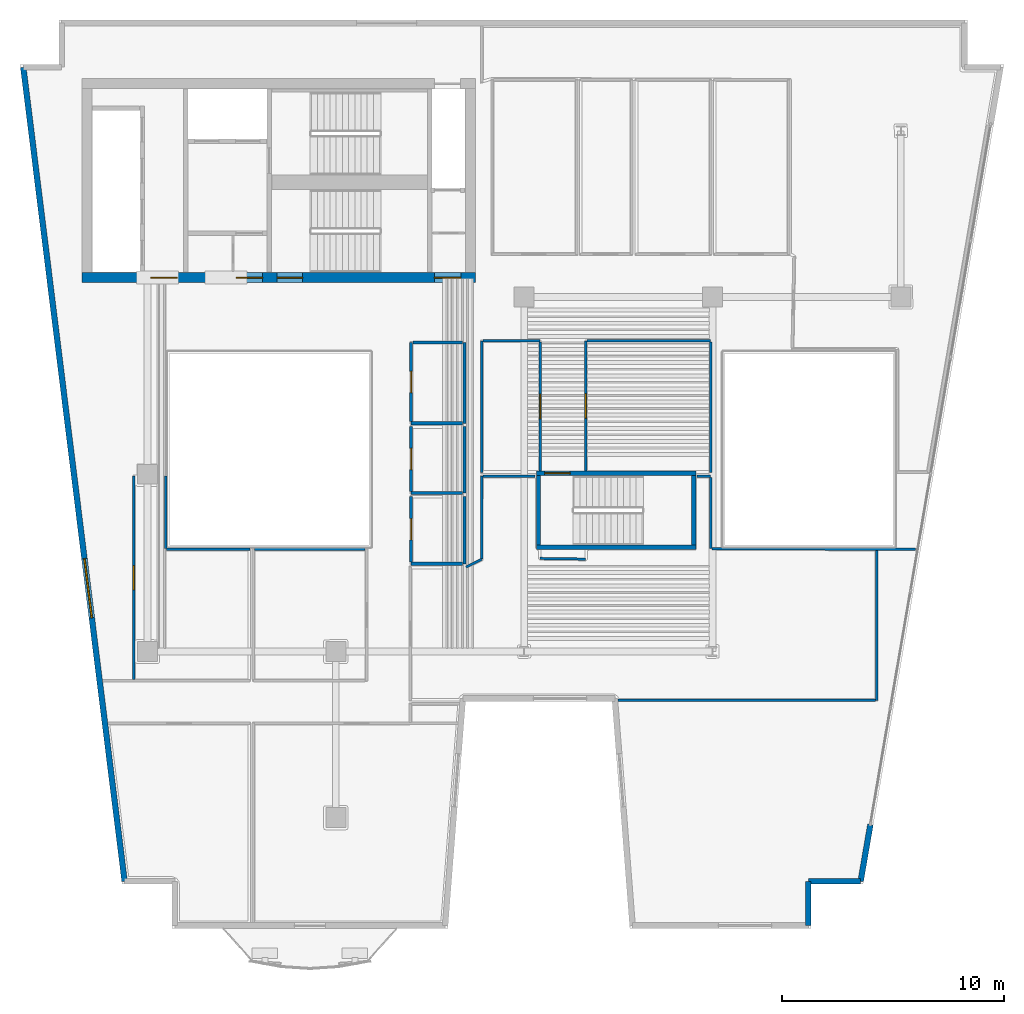
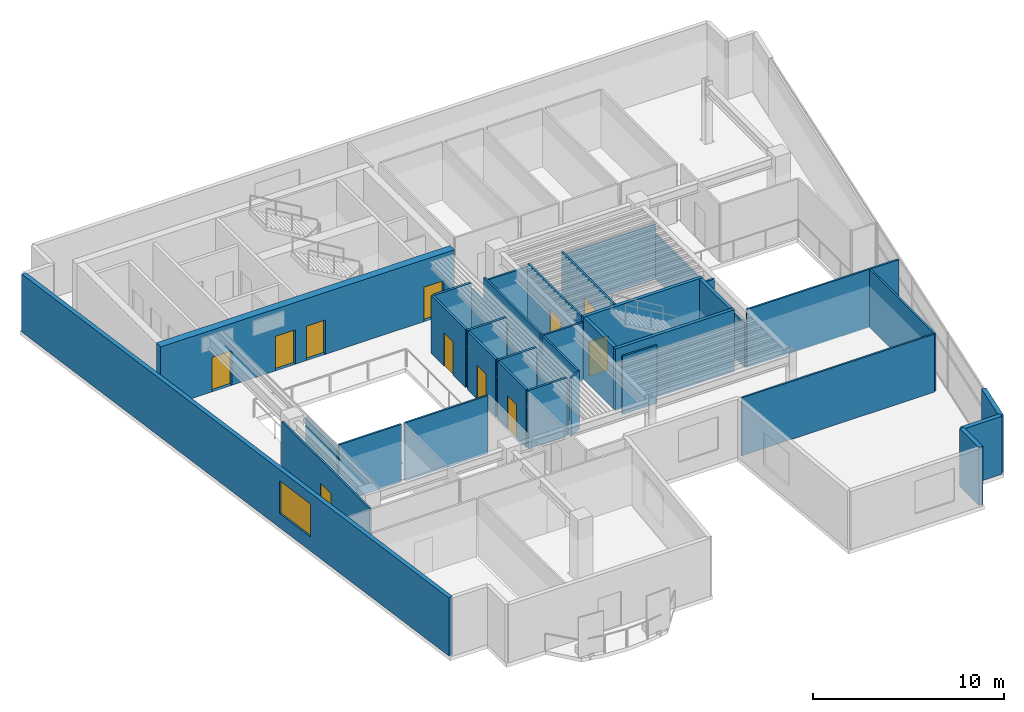
# One storey, part 4 of 9: 38 walls, 11 doors, 1 window, 12 openings.
"""IFC4 building model written with IfcOpenShell, lengths in metres."""

import ifcopenshell
import ifcopenshell.guid

model = None  # the IFC model being written
_history = None  # IfcOwnerHistory: only IFC2X3 demands one
_inside = {}  # id of a spatial element -> (the spatial element, [elements in it])
_under = {}  # id of a project, library or spatial element -> (it, [spatial elements below it])
_declared = {}  # id of a project -> (the project, [libraries it declares])
_typed = {}  # id of a type object -> (the type object, [elements of that type])
_made_of = {}  # id of a material, layer set ... -> (it, [elements and type objects made of it])


def new_model(schema):
    """Start an empty IFC model of exactly this schema.

    Asked for "IFC4X3", IfcOpenShell would pick the latest addendum, in which some entities
    have other attributes; the version numbers below select the first issue.
    IFC2X3 requires an IfcOwnerHistory on every rooted entity: one is made here for all.
    """
    global model, _history
    if schema == "IFC4X3":
        model = ifcopenshell.file(schema_version=(4, 3, 0, 0))
    else:
        model = ifcopenshell.file(schema=schema)
    _inside.clear()
    _under.clear()
    _declared.clear()
    _typed.clear()
    _made_of.clear()
    _history = None
    if model.schema == "IFC2X3":
        org = make("IfcOrganization", Name="unknown")
        user = make(
            "IfcPersonAndOrganization",
            ThePerson=make("IfcPerson", FamilyName="unknown"),
            TheOrganization=org,
        )
        app = make(
            "IfcApplication",
            ApplicationDeveloper=org,
            Version="unknown",
            ApplicationFullName="unknown",
            ApplicationIdentifier="unknown",
        )
        _history = make(
            "IfcOwnerHistory",
            OwningUser=user,
            OwningApplication=app,
            ChangeAction="ADDED",
            CreationDate=0,
        )
    return model


def make(cls, **values):
    """One entity of the class cls with the attributes given. An attribute that is None is left unset."""
    return model.create_entity(
        cls, **{name: value for name, value in values.items() if value is not None}
    )


def rooted(cls, **values):
    """An entity with a GlobalId (a new one), such as an element, a storey or a relation."""
    return make(cls, GlobalId=ifcopenshell.guid.new(), OwnerHistory=_history, **values)


def si_unit(unit_type, name, prefix=None):
    """IfcSIUnit, for example si_unit("LENGTHUNIT", "METRE", prefix="MILLI")."""
    return make("IfcSIUnit", UnitType=unit_type, Prefix=prefix, Name=name)


def assignment(units):
    """IfcUnitAssignment: the units of a project."""
    return None if units is None else make("IfcUnitAssignment", Units=units)


def point(xyz):
    """IfcCartesianPoint."""
    return None if xyz is None else make("IfcCartesianPoint", Coordinates=xyz)


def direction(xyz):
    """IfcDirection."""
    return None if xyz is None else make("IfcDirection", DirectionRatios=xyz)


def frame(location, z_axis=None, x_axis=None):
    """IfcAxis2Placement3D, a coordinate frame: its origin and axes. An axis left out is left unset."""
    return make(
        "IfcAxis2Placement3D",
        Location=point(location),
        Axis=direction(z_axis),
        RefDirection=direction(x_axis),
    )


def frame_2d(location, x_axis=None):
    """IfcAxis2Placement2D, a coordinate frame in the plane: its origin and x axis."""
    return make(
        "IfcAxis2Placement2D", Location=point(location), RefDirection=direction(x_axis)
    )


def origin():
    """The frame at (0, 0, 0) with its axes left unset."""
    return frame((0.0, 0.0, 0.0))


def place(relative_to, where):
    """IfcLocalPlacement: puts the frame where relative to a parent placement (None: the world)."""
    return make(
        "IfcLocalPlacement", PlacementRelTo=relative_to, RelativePlacement=where
    )


def context(
    kind, dimensions, precision=None, world=None, true_north=None, identifier=None
):
    """IfcGeometricRepresentationContext, for example the 3D "Model" context."""
    return make(
        "IfcGeometricRepresentationContext",
        ContextIdentifier=identifier,
        ContextType=kind,
        CoordinateSpaceDimension=dimensions,
        Precision=precision,
        WorldCoordinateSystem=world,
        TrueNorth=true_north,
    )


def subcontext(parent, identifier, kind, view, scale=None):
    """IfcGeometricRepresentationSubContext, for example "Body" below "Model"."""
    return make(
        "IfcGeometricRepresentationSubContext",
        ContextIdentifier=identifier,
        ContextType=kind,
        ParentContext=parent,
        TargetScale=scale,
        TargetView=view,
    )


def project(units=None, contexts=None):
    """IfcProject with its units and contexts."""
    return rooted(
        "IfcProject",
        Name="project",
        RepresentationContexts=contexts,
        UnitsInContext=assignment(units),
    )


def spatial(cls, under=None, at=None, **own):
    """A site, building, storey or space (cls), placed at a placement, below another one or the project."""
    s = rooted(cls, ObjectPlacement=at, **own)
    if under is not None:
        _under.setdefault(under.id(), (under, []))[1].append(s)
    return s


def profile(cls, at=None, kind="AREA", **sizes):
    """A parametric profile (cls). Its sizes go by their IFC names, for example OverallWidth=200.0."""
    return make(cls, ProfileType=kind, Position=at, **sizes)


def rectangle(**sizes):
    """IfcRectangleProfileDef."""
    return profile("IfcRectangleProfileDef", **sizes)


def extrude(swept, where, along, depth):
    """IfcExtrudedAreaSolid: the profile swept, set in the frame where, extruded along a direction by depth."""
    return make(
        "IfcExtrudedAreaSolid",
        SweptArea=swept,
        Position=where,
        ExtrudedDirection=direction(along),
        Depth=depth,
    )


def shape(context_of_items, identifier, shape_type, items):
    """IfcShapeRepresentation: the items that make up one representation, for example the "Body"."""
    return make(
        "IfcShapeRepresentation",
        ContextOfItems=context_of_items,
        RepresentationIdentifier=identifier,
        RepresentationType=shape_type,
        Items=items,
    )


def material(Name=None, Category=None):
    """IfcMaterial."""
    return make("IfcMaterial", Name=Name, Category=Category)


def layer(
    of_material, thickness, ventilated=None, Name=None, Category=None, Priority=None
):
    """IfcMaterialLayer: one layer of a wall or slab, of a material (None: an air gap)."""
    return make(
        "IfcMaterialLayer",
        Material=of_material,
        LayerThickness=thickness,
        IsVentilated=ventilated,
        Name=Name,
        Category=Category,
        Priority=Priority,
    )


def layer_set(layers, Name=None):
    """IfcMaterialLayerSet."""
    return make("IfcMaterialLayerSet", MaterialLayers=layers, LayerSetName=Name)


def made_of(thing, what):
    """Note that an element or type object is made of a material, layer set ...; save() writes the relation."""
    if what is not None:
        _made_of.setdefault(what.id(), (what, []))[1].append(thing)
    return thing


def type_object(cls, material=None, **own):
    """A type object (cls), such as IfcWallType, which elements share."""
    return made_of(rooted(cls, **own), material)


def element(
    cls,
    number,
    at=None,
    inside=None,
    cuts=None,
    type_object=None,
    material=None,
    context=None,
    identifier="Body",
    shape_type=None,
    held_by="IfcProductDefinitionShape",
    body=None,
    shapes=None,
    **own,
):
    """One element of the class cls, such as IfcWall. Its Tag is "e" and its number.

    at: its placement. inside: the storey or other place that contains it. cuts: it is an
    opening in that element (IfcRelVoidsElement). A single representation is given by context,
    identifier, shape_type and body (its items); several are given by shapes. held_by: the class
    of the entity that holds the representations. save() writes the other relations.
    """
    e = rooted(cls, Tag="e%d" % number, ObjectPlacement=at, **own)
    if body is not None:
        shapes = [shape(context, identifier, shape_type, body)]
    if shapes is not None:
        e.Representation = make(held_by, Representations=shapes)
    if inside is not None:
        _inside.setdefault(inside.id(), (inside, []))[1].append(e)
    if cuts is not None:
        rooted(
            "IfcRelVoidsElement", RelatingBuildingElement=cuts, RelatedOpeningElement=e
        )
    if type_object is not None:
        _typed.setdefault(type_object.id(), (type_object, []))[1].append(e)
    return made_of(e, material)


def fill(opening, filler):
    """IfcRelFillsElement: the door or window that sits in an opening."""
    return rooted(
        "IfcRelFillsElement",
        RelatingOpeningElement=opening,
        RelatedBuildingElement=filler,
    )


def aggregate(whole, parts):
    """IfcRelAggregates: a whole, such as a stair, and the parts it consists of."""
    return rooted("IfcRelAggregates", RelatingObject=whole, RelatedObjects=parts)


def save(model, path):
    """Write the relations noted so far, then the file.

    IfcRelAggregates (storeys below a building ...), IfcRelContainedInSpatialStructure (elements
    in a storey), IfcRelDefinesByType, IfcRelAssociatesMaterial and IfcRelDeclares: one each for
    every whole, place, type object, material and project.
    """
    for whole, parts in _under.values():
        aggregate(whole, parts)
    for where, things in _inside.values():
        rooted(
            "IfcRelContainedInSpatialStructure",
            RelatedElements=things,
            RelatingStructure=where,
        )
    for kind, things in _typed.values():
        rooted("IfcRelDefinesByType", RelatedObjects=things, RelatingType=kind)
    for what, things in _made_of.values():
        rooted("IfcRelAssociatesMaterial", RelatedObjects=things, RelatingMaterial=what)
    for by, libraries in _declared.values():
        rooted("IfcRelDeclares", RelatingContext=by, RelatedDefinitions=libraries)
    model.write(path)


model = new_model("IFC4")

# Units and contexts
model_context = context("Model", 3, precision=1e-05, world=origin(), true_north=direction((0.0, 1.0)))
body_context = subcontext(model_context, "Body", "Model", "MODEL_VIEW")
ifc_project = project(units=[si_unit("LENGTHUNIT", "METRE"), si_unit("AREAUNIT", "SQUARE_METRE"), si_unit("VOLUMEUNIT", "CUBIC_METRE"), si_unit("PLANEANGLEUNIT", "RADIAN"), si_unit("MASSUNIT", "GRAM", prefix="KILO")], contexts=[model_context])

# Site, building, storey
site_placement = place(None, origin())
site = spatial("IfcSite", under=ifc_project, at=site_placement, CompositionType="ELEMENT")
building_placement = place(site_placement, origin())
building = spatial("IfcBuilding", under=site, at=building_placement, Name="Caeloran Harvest Quay", CompositionType="ELEMENT")
storey_placement = place(building_placement, frame((0.0, 0.0, 195.60009765625)))
storey = spatial("IfcBuildingStorey", under=building, at=storey_placement, Name="L46", CompositionType="ELEMENT", Elevation=195.60009765625)

# Wall, opening, window
ifc_material_1 = material(Name="Precast concrete C50/60", Category="concrete")
ifc_layer_1 = layer(ifc_material_1, 0.260009765625, Name="Precast concrete C50/60")
ifc_layer_set_1 = layer_set([ifc_layer_1], Name="Precast concrete C50/60")
wall_type_1 = type_object("IfcWallType", Name="ENV-WALL-EW-260", PredefinedType="STANDARD", material=ifc_layer_set_1)
wall_1_placement = place(storey_placement, frame((7.468994140625, 4.6298828125, 0.0), z_axis=(0.0, 0.0, 1.0), x_axis=(-0.123515300309, 0.992342667928, 0.0)))
wall_1 = element("IfcWall", 1, at=wall_1_placement, inside=storey, type_object=wall_type_1, Name="L46 Exterior Precast Concrete Facade Wall 3", PredefinedType="STANDARD", context=body_context, shape_type="SweptSolid", body=[
    extrude(rectangle(XDim=37.023681640625, YDim=0.260009765625, at=frame_2d((18.51171875, 0.0))), origin(), (0.0, 0.0, 1.0), 3.699951171875),
])
opening_1_placement = place(wall_1_placement, frame((11.97802734375, 0.0, 0.89990234375)))
opening_1 = element("IfcOpeningElement", 2, at=opening_1_placement, cuts=wall_1, Name="Opening W-07", PredefinedType="OPENING", context=body_context, shape_type="SweptSolid", body=[
    extrude(rectangle(XDim=2.699951171875, YDim=2.10009765625, at=frame_2d((1.35009765625, 1.050048828125))), frame((0.0, 0.14013671875, 0.0), z_axis=(0.0, -1.0, 0.0), x_axis=(1.0, 0.0, 0.0)), (0.0, 0.0, 1.0), 0.280029296875),
])
ifc_material_2 = material(Name="Aluminium-Framed Low-E Laminated Glass", Category="aluminium")
window_type = type_object("IfcWindowType", Name="WIN-W-07", PartitioningType="DOUBLE_PANEL_VERTICAL", PredefinedType="WINDOW", material=ifc_material_2)
window_placement = place(opening_1_placement, origin())
window = element("IfcWindow", 3, at=window_placement, inside=storey, type_object=window_type, Name="L46 Facade Punched Window W-07", OverallHeight=2.10009765625, OverallWidth=2.699951171875, PartitioningType="DOUBLE_PANEL_VERTICAL", PredefinedType="WINDOW", context=body_context, shape_type="SweptSolid", body=[
    extrude(rectangle(XDim=2.699951171875, YDim=2.10009765625, at=frame_2d((1.35009765625, 1.050048828125))), frame((0.0, 0.030029296875, 0.0), z_axis=(0.0, -1.0, 0.0), x_axis=(1.0, 0.0, 0.0)), (0.0, 0.0, 1.0), 0.06005859375),
])
fill(opening_1, window)

# Walls
wall_2_placement = place(storey_placement, frame((41.127685546875, 7.1923828125, 0.0), z_axis=(0.0, 0.0, 1.0), x_axis=(-0.169391215599, -0.98554889076, 0.0)))
element("IfcWall", 4, at=wall_2_placement, inside=storey, type_object=wall_type_1, Name="L46 Exterior Facade Corner Pier Wall 9B", PredefinedType="STANDARD", context=body_context, shape_type="SweptSolid", body=[
    extrude(rectangle(XDim=2.60009765625, YDim=0.260009765625, at=frame_2d((1.300048828125, 0.0))), origin(), (0.0, 0.0, 1.0), 3.699951171875),
])
wall_3_placement = place(storey_placement, frame((40.687255859375, 4.6298828125, 0.0), z_axis=(0.0, 0.0, 1.0), x_axis=(-1.0, 0.0, 0.0)))
element("IfcWall", 5, at=wall_3_placement, inside=storey, type_object=wall_type_1, Name="L46 Exterior Precast Concrete Facade Wall 10", PredefinedType="STANDARD", context=body_context, shape_type="SweptSolid", body=[
    extrude(rectangle(XDim=2.3642578125, YDim=0.260009765625, at=frame_2d((1.18212890625, 0.0))), origin(), (0.0, 0.0, 1.0), 3.699951171875),
])
wall_4_placement = place(storey_placement, frame((38.322998046875, 4.6298828125, 0.0), z_axis=(0.0, 0.0, 1.0), x_axis=(0.0, -1.0, 0.0)))
element("IfcWall", 6, at=wall_4_placement, inside=storey, type_object=wall_type_1, Name="L46 Exterior Precast Concrete Facade Wall 11", PredefinedType="STANDARD", context=body_context, shape_type="SweptSolid", body=[
    extrude(rectangle(XDim=2.0, YDim=0.260009765625, at=frame_2d((1.0, 0.0))), origin(), (0.0, 0.0, 1.0), 3.699951171875),
])
ifc_material_3 = material(Name="Single-Stud Acoustic Gypsum Office Partition", Category="gypsum")
ifc_layer_2 = layer(ifc_material_3, 0.112060546875, Name="Single-Stud Acoustic Gypsum Office Partition")
ifc_layer_set_2 = layer_set([ifc_layer_2], Name="Single-Stud Acoustic Gypsum Office Partition")
wall_type_2 = type_object("IfcWallType", Name="INT-WALL-PW-112", PredefinedType="PARTITIONING", material=ifc_layer_set_2)
wall_5_placement = place(storey_placement, frame((33.310791015625, 22.919921875, 0.0), z_axis=(0.0, 0.0, 1.0), x_axis=(1.0, 0.0, 0.0)))
element("IfcWall", 7, at=wall_5_placement, inside=storey, type_object=wall_type_2, Name="Corporate Legal Counsel Office Partition Wall", PredefinedType="PARTITIONING", context=body_context, shape_type="SweptSolid", body=[
    extrude(rectangle(XDim=0.609130859375, YDim=0.112060546875, at=frame_2d((0.3046875, 0.0))), origin(), (0.0, 0.0, 1.0), 3.699951171875),
])
wall_6_placement = place(storey_placement, frame((33.919921875, 22.85888671875, 0.0), z_axis=(0.0, 0.0, 1.0), x_axis=(0.0, -1.0, 0.0)))
element("IfcWall", 8, at=wall_6_placement, inside=storey, type_object=wall_type_2, Name="Corporate Legal Counsel Office Partition Wall", PredefinedType="PARTITIONING", context=body_context, shape_type="SweptSolid", body=[
    extrude(rectangle(XDim=3.218994140625, YDim=0.112060546875, at=frame_2d((1.609375, 0.0))), origin(), (0.0, 0.0, 1.0), 2.885009765625),
])
wall_7_placement = place(storey_placement, frame((33.98095703125, 19.639892578125, 0.0), z_axis=(0.0, 0.0, 1.0), x_axis=(0.999996388808, -0.002687447056, 0.0)))
element("IfcWall", 9, at=wall_7_placement, inside=storey, type_object=wall_type_2, Name="Corporate Legal Counsel Office Partition Wall", PredefinedType="PARTITIONING", context=body_context, shape_type="SweptSolid", body=[
    extrude(rectangle(XDim=9.17529296875, YDim=0.112060546875, at=frame_2d((4.587646484375, 0.0))), origin(), (0.0, 0.0, 1.0), 3.699951171875),
])
wall_8_placement = place(storey_placement, frame((41.419921875, 19.558837890625, 0.0), z_axis=(0.0, 0.0, 1.0), x_axis=(0.0, -1.0, 0.0)))
element("IfcWall", 10, at=wall_8_placement, inside=storey, type_object=wall_type_2, Name="Corporate Legal Counsel Office Partition Wall", PredefinedType="PARTITIONING", context=body_context, shape_type="SweptSolid", body=[
    extrude(rectangle(XDim=6.7587890625, YDim=0.112060546875, at=frame_2d((3.37939453125, 0.0))), origin(), (0.0, 0.0, 1.0), 3.699951171875),
])
wall_9_placement = place(storey_placement, frame((41.35888671875, 12.800048828125, 0.0), z_axis=(0.0, 0.0, 1.0), x_axis=(-1.0, 0.0, 0.0)))
element("IfcWall", 11, at=wall_9_placement, inside=storey, type_object=wall_type_2, Name="Corporate Legal Counsel Office Partition Wall", PredefinedType="PARTITIONING", context=body_context, shape_type="SweptSolid", body=[
    extrude(rectangle(XDim=11.62744140625, YDim=0.112060546875, at=frame_2d((5.813720703125, 0.0))), origin(), (0.0, 0.0, 1.0), 3.699951171875),
])
wall_10_placement = place(storey_placement, frame((22.883056640625, 18.81005859375, 0.0), z_axis=(0.0, 0.0, 1.0), x_axis=(0.893737436086, 0.448590453909, 0.0)))
element("IfcWall", 12, at=wall_10_placement, inside=storey, type_object=wall_type_2, Name="Corporate Legal Counsel Office Partition Wall", PredefinedType="PARTITIONING", context=body_context, shape_type="SweptSolid", body=[
    extrude(rectangle(XDim=0.77978515625, YDim=0.112060546875, at=frame_2d((0.389892578125, 0.0))), origin(), (0.0, 0.0, 1.0), 3.699951171875),
])
wall_11_placement = place(storey_placement, frame((23.580078125, 19.171142578125, 0.0), z_axis=(0.0, 0.0, 1.0), x_axis=(0.0, 1.0, 0.0)))
element("IfcWall", 13, at=wall_11_placement, inside=storey, type_object=wall_type_2, Name="Corporate Legal Counsel Office Partition Wall", PredefinedType="PARTITIONING", context=body_context, shape_type="SweptSolid", body=[
    extrude(rectangle(XDim=3.748779296875, YDim=0.112060546875, at=frame_2d((1.87451171875, 0.0))), origin(), (0.0, 0.0, 1.0), 3.699951171875),
])
wall_12_placement = place(storey_placement, frame((23.64111328125, 22.919921875, 0.0), z_axis=(0.0, 0.0, 1.0), x_axis=(1.0, 0.0, 0.0)))
element("IfcWall", 14, at=wall_12_placement, inside=storey, type_object=wall_type_2, Name="Corporate Legal Counsel Office Partition Wall", PredefinedType="PARTITIONING", context=body_context, shape_type="SweptSolid", body=[
    extrude(rectangle(XDim=2.347900390625, YDim=0.112060546875, at=frame_2d((1.173828125, 0.0))), origin(), (0.0, 0.0, 1.0), 3.699951171875),
])
wall_13_placement = place(storey_placement, frame((26.219970703125, 19.199951171875, 0.0), z_axis=(0.0, 0.0, 1.0), x_axis=(0.999893773718, -0.014575365509, 0.0)))
element("IfcWall", 15, at=wall_13_placement, inside=storey, type_object=wall_type_2, Name="Corporate Legal Counsel Office Partition Wall", PredefinedType="PARTITIONING", context=body_context, shape_type="SweptSolid", body=[
    extrude(rectangle(XDim=2.060302734375, YDim=0.112060546875, at=frame_2d((1.0302734375, 0.0))), origin(), (0.0, 0.0, 1.0), 3.699951171875),
])
wall_14_placement = place(storey_placement, frame((13.341064453125, 19.6201171875, 0.0), z_axis=(0.0, 0.0, 1.0), x_axis=(1.0, 0.0, 0.0)))
element("IfcWall", 16, at=wall_14_placement, inside=storey, type_object=wall_type_2, Name="Executive Partner Office Partition Wall", PredefinedType="PARTITIONING", context=body_context, shape_type="SweptSolid", body=[
    extrude(rectangle(XDim=4.988037109375, YDim=0.112060546875, at=frame_2d((2.494140625, 0.0))), origin(), (0.0, 0.0, 1.0), 3.699951171875),
])
wall_15_placement = place(storey_placement, frame((9.35009765625, 19.6201171875, 0.0), z_axis=(0.0, 0.0, 1.0), x_axis=(1.0, 0.0, 0.0)))
element("IfcWall", 17, at=wall_15_placement, inside=storey, type_object=wall_type_2, Name="Client Pitch Conference Room Partition Wall", PredefinedType="PARTITIONING", context=body_context, shape_type="SweptSolid", body=[
    extrude(rectangle(XDim=3.77001953125, YDim=0.112060546875, at=frame_2d((1.885009765625, 0.0))), origin(), (0.0, 0.0, 1.0), 3.699951171875),
])

# Wall, opening, door
wall_16_placement = place(storey_placement, frame((7.8798828125, 13.740966796875, 0.0), z_axis=(0.0, 0.0, 1.0), x_axis=(0.0, 1.0, 0.0)))
wall_16 = element("IfcWall", 18, at=wall_16_placement, inside=storey, type_object=wall_type_2, Name="Client Pitch Conference Room Partition Wall", PredefinedType="PARTITIONING", context=body_context, shape_type="SweptSolid", body=[
    extrude(rectangle(XDim=9.178955078125, YDim=0.112060546875, at=frame_2d((4.58935546875, 0.0))), origin(), (0.0, 0.0, 1.0), 3.699951171875),
])
opening_2_placement = place(wall_16_placement, frame((4.03955078125, 0.0, 0.0)))
opening_2 = element("IfcOpeningElement", 19, at=opening_2_placement, cuts=wall_16, Name="Opening ID-04", PredefinedType="OPENING", context=body_context, shape_type="SweptSolid", body=[
    extrude(rectangle(XDim=1.10009765625, YDim=2.199951171875, at=frame_2d((0.550048828125, 1.10009765625))), frame((0.0, 0.06591796875, 0.0), z_axis=(0.0, -1.0, 0.0), x_axis=(1.0, 0.0, 0.0)), (0.0, 0.0, 1.0), 0.132080078125),
])
ifc_material_4 = material(Name="Acoustic Walnut Veneer Executive Door", Category="wood")
door_type_1 = type_object("IfcDoorType", Name="INTDOOR-ID-04", OperationType="NOTDEFINED", PredefinedType="DOOR", material=ifc_material_4)
door_1_placement = place(opening_2_placement, origin())
door_1 = element("IfcDoor", 20, at=door_1_placement, inside=storey, type_object=door_type_1, Name="Client Pitch Conference Room Access Door", OperationType="SINGLE_SWING_RIGHT", OverallHeight=2.199951171875, OverallWidth=1.10009765625, PredefinedType="DOOR", context=body_context, shape_type="SweptSolid", body=[
    extrude(rectangle(XDim=1.10009765625, YDim=2.199951171875, at=frame_2d((0.550048828125, 1.10009765625))), frame((0.0, 0.02490234375, 0.0), z_axis=(0.0, -1.0, 0.0), x_axis=(1.0, 0.0, 0.0)), (0.0, 0.0, 1.0), 0.050048828125),
])
fill(opening_2, door_1)

# Walls
wall_17_placement = place(storey_placement, frame((9.320068359375, 22.919921875, 0.0), z_axis=(0.0, 0.0, 1.0), x_axis=(0.0, -1.0, 0.0)))
element("IfcWall", 21, at=wall_17_placement, inside=storey, type_object=wall_type_2, Name="Client Pitch Conference Room Partition Wall", PredefinedType="PARTITIONING", context=body_context, shape_type="SweptSolid", body=[
    extrude(rectangle(XDim=3.27001953125, YDim=0.112060546875, at=frame_2d((1.635009765625, 0.0))), origin(), (0.0, 0.0, 1.0), 3.48486328125),
])
wall_18_placement = place(storey_placement, frame((23.580078125, 23.080078125, 0.0), z_axis=(0.0, 0.0, 1.0), x_axis=(0.0, 1.0, 0.0)))
element("IfcWall", 22, at=wall_18_placement, inside=storey, type_object=wall_type_2, Name="Interview Meeting Room Partition Wall", PredefinedType="PARTITIONING", context=body_context, shape_type="SweptSolid", body=[
    extrude(rectangle(XDim=5.93994140625, YDim=0.112060546875, at=frame_2d((2.969970703125, 0.0))), origin(), (0.0, 0.0, 1.0), 3.699951171875),
])
wall_19_placement = place(storey_placement, frame((23.64111328125, 29.02001953125, 0.0), z_axis=(0.0, 0.0, 1.0), x_axis=(1.0, 0.0, 0.0)))
element("IfcWall", 23, at=wall_19_placement, inside=storey, type_object=wall_type_2, Name="Interview Meeting Room Partition Wall", PredefinedType="PARTITIONING", context=body_context, shape_type="SweptSolid", body=[
    extrude(rectangle(XDim=2.578857421875, YDim=0.112060546875, at=frame_2d((1.28955078125, 0.0))), origin(), (0.0, 0.0, 1.0), 3.48486328125),
])

# Wall, opening, door
wall_20_placement = place(storey_placement, frame((26.219970703125, 28.958984375, 0.0), z_axis=(0.0, 0.0, 1.0), x_axis=(0.0, -1.0, 0.0)))
wall_20 = element("IfcWall", 24, at=wall_20_placement, inside=storey, type_object=wall_type_2, Name="Interview Meeting Room Partition Wall", PredefinedType="PARTITIONING", context=body_context, shape_type="SweptSolid", body=[
    extrude(rectangle(XDim=5.803955078125, YDim=0.112060546875, at=frame_2d((2.90185546875, 0.0))), origin(), (0.0, 0.0, 1.0), 3.699951171875),
])
opening_3_placement = place(wall_20_placement, frame((2.35205078125, 0.0, 0.0)))
opening_3 = element("IfcOpeningElement", 25, at=opening_3_placement, cuts=wall_20, Name="Opening ID-04", PredefinedType="OPENING", context=body_context, shape_type="SweptSolid", body=[
    extrude(rectangle(XDim=1.10009765625, YDim=2.199951171875, at=frame_2d((0.550048828125, 1.10009765625))), frame((0.0, 0.06591796875, 0.0), z_axis=(0.0, -1.0, 0.0), x_axis=(1.0, 0.0, 0.0)), (0.0, 0.0, 1.0), 0.132080078125),
])
door_2_placement = place(opening_3_placement, origin())
door_2 = element("IfcDoor", 26, at=door_2_placement, inside=storey, type_object=door_type_1, Name="Interview Meeting Room Access Door", OperationType="SINGLE_SWING_LEFT", OverallHeight=2.199951171875, OverallWidth=1.10009765625, PredefinedType="DOOR", context=body_context, shape_type="SweptSolid", body=[
    extrude(rectangle(XDim=1.10009765625, YDim=2.199951171875, at=frame_2d((0.550048828125, 1.10009765625))), frame((0.0, 0.02490234375, 0.0), z_axis=(0.0, -1.0, 0.0), x_axis=(1.0, 0.0, 0.0)), (0.0, 0.0, 1.0), 0.050048828125),
])
fill(opening_3, door_2)

wall_21_placement = place(storey_placement, frame((28.280029296875, 23.155029296875, 0.0), z_axis=(0.0, 0.0, 1.0), x_axis=(0.0, 1.0, 0.0)))
wall_21 = element("IfcWall", 27, at=wall_21_placement, inside=storey, type_object=wall_type_2, Name="Staff Tea Kitchen Partition Wall", PredefinedType="PARTITIONING", context=body_context, shape_type="SweptSolid", body=[
    extrude(rectangle(XDim=5.864990234375, YDim=0.112060546875, at=frame_2d((2.9326171875, 0.0))), origin(), (0.0, 0.0, 1.0), 3.699951171875),
])
opening_4_placement = place(wall_21_placement, frame((2.382568359375, 0.0, 0.0)))
opening_4 = element("IfcOpeningElement", 28, at=opening_4_placement, cuts=wall_21, Name="Opening ID-04", PredefinedType="OPENING", context=body_context, shape_type="SweptSolid", body=[
    extrude(rectangle(XDim=1.10009765625, YDim=2.199951171875, at=frame_2d((0.550048828125, 1.10009765625))), frame((0.0, 0.06591796875, 0.0), z_axis=(0.0, -1.0, 0.0), x_axis=(1.0, 0.0, 0.0)), (0.0, 0.0, 1.0), 0.132080078125),
])
door_3_placement = place(opening_4_placement, origin())
door_3 = element("IfcDoor", 29, at=door_3_placement, inside=storey, type_object=door_type_1, Name="Staff Tea Kitchen Access Door", OperationType="SINGLE_SWING_RIGHT", OverallHeight=2.199951171875, OverallWidth=1.10009765625, PredefinedType="DOOR", context=body_context, shape_type="SweptSolid", body=[
    extrude(rectangle(XDim=1.10009765625, YDim=2.199951171875, at=frame_2d((0.550048828125, 1.10009765625))), frame((0.0, 0.02490234375, 0.0), z_axis=(0.0, -1.0, 0.0), x_axis=(1.0, 0.0, 0.0)), (0.0, 0.0, 1.0), 0.050048828125),
])
fill(opening_4, door_3)

# Walls
wall_22_placement = place(storey_placement, frame((28.341064453125, 29.02001953125, 0.0), z_axis=(0.0, 0.0, 1.0), x_axis=(1.0, 0.0, 0.0)))
element("IfcWall", 30, at=wall_22_placement, inside=storey, type_object=wall_type_2, Name="Staff Tea Kitchen Partition Wall", PredefinedType="PARTITIONING", context=body_context, shape_type="SweptSolid", body=[
    extrude(rectangle(XDim=5.578857421875, YDim=0.112060546875, at=frame_2d((2.78955078125, 0.0))), origin(), (0.0, 0.0, 1.0), 3.48486328125),
])
wall_23_placement = place(storey_placement, frame((33.919921875, 28.958984375, 0.0), z_axis=(0.0, 0.0, 1.0), x_axis=(0.0, -1.0, 0.0)))
element("IfcWall", 31, at=wall_23_placement, inside=storey, type_object=wall_type_2, Name="Staff Tea Kitchen Partition Wall", PredefinedType="PARTITIONING", context=body_context, shape_type="SweptSolid", body=[
    extrude(rectangle(XDim=5.87890625, YDim=0.112060546875, at=frame_2d((2.939453125, 0.0))), origin(), (0.0, 0.0, 1.0), 2.885009765625),
])
ifc_material_5 = material(Name="Moisture-Resistant Cement-Board Sanitary Partition", Category="gypsum")
ifc_layer_3 = layer(ifc_material_5, 0.139892578125, Name="Moisture-Resistant Cement-Board Sanitary Partition")
ifc_layer_set_3 = layer_set([ifc_layer_3], Name="Moisture-Resistant Cement-Board Sanitary Partition")
wall_type_3 = type_object("IfcWallType", Name="INT-WALL-PW-140", PredefinedType="PARTITIONING", material=ifc_layer_set_3)
wall_24_placement = place(storey_placement, frame((22.800048828125, 28.949951171875, 0.0), z_axis=(0.0, 0.0, 1.0), x_axis=(0.0, -1.0, 0.0)))
element("IfcWall", 32, at=wall_24_placement, inside=storey, type_object=wall_type_3, Name="L46 Male Washroom WC Partition Wall", PredefinedType="PARTITIONING", context=body_context, shape_type="SweptSolid", body=[
    extrude(rectangle(XDim=3.64990234375, YDim=0.139892578125, at=frame_2d((1.824951171875, 0.0))), origin(), (0.0, 0.0, 1.0), 3.284912109375),
])
wall_25_placement = place(storey_placement, frame((22.72509765625, 25.300048828125, 0.0), z_axis=(0.0, 0.0, 1.0), x_axis=(-1.0, 0.0, 0.0)))
element("IfcWall", 33, at=wall_25_placement, inside=storey, type_object=wall_type_3, Name="L46 Male Washroom WC Partition Wall", PredefinedType="PARTITIONING", context=body_context, shape_type="SweptSolid", body=[
    extrude(rectangle(XDim=2.3251953125, YDim=0.139892578125, at=frame_2d((1.16259765625, 0.0))), origin(), (0.0, 0.0, 1.0), 3.699951171875),
])

# Wall, opening, door
wall_26_placement = place(storey_placement, frame((20.39990234375, 25.375, 0.0), z_axis=(0.0, 0.0, 1.0), x_axis=(0.0, 1.0, 0.0)))
wall_26 = element("IfcWall", 34, at=wall_26_placement, inside=storey, type_object=wall_type_3, Name="L46 Male Washroom WC Partition Wall", PredefinedType="PARTITIONING", context=body_context, shape_type="SweptSolid", body=[
    extrude(rectangle(XDim=3.574951171875, YDim=0.139892578125, at=frame_2d((1.78759765625, 0.0))), origin(), (0.0, 0.0, 1.0), 3.699951171875),
])
opening_5_placement = place(wall_26_placement, frame((1.3125, 0.0, 0.0)))
opening_5 = element("IfcOpeningElement", 35, at=opening_5_placement, cuts=wall_26, Name="Opening WC-01", PredefinedType="OPENING", context=body_context, shape_type="SweptSolid", body=[
    extrude(rectangle(XDim=0.949951171875, YDim=2.14990234375, at=frame_2d((0.47509765625, 1.074951171875))), frame((0.0, 0.080078125, 0.0), z_axis=(0.0, -1.0, 0.0), x_axis=(1.0, 0.0, 0.0)), (0.0, 0.0, 1.0), 0.159912109375),
])
ifc_material_6 = material(Name="High-Pressure Laminate Moisture-Resistant Timber", Category="wood")
door_type_2 = type_object("IfcDoorType", Name="INTDOOR-WC-01", OperationType="NOTDEFINED", PredefinedType="DOOR", material=ifc_material_6)
door_4_placement = place(opening_5_placement, origin())
door_4 = element("IfcDoor", 36, at=door_4_placement, inside=storey, type_object=door_type_2, Name="L46 Male Washroom WC Access Door", OperationType="SINGLE_SWING_LEFT", OverallHeight=2.14990234375, OverallWidth=0.949951171875, PredefinedType="DOOR", context=body_context, shape_type="SweptSolid", body=[
    extrude(rectangle(XDim=0.949951171875, YDim=2.14990234375, at=frame_2d((0.47509765625, 1.074951171875))), frame((0.0, 0.02490234375, 0.0), z_axis=(0.0, -1.0, 0.0), x_axis=(1.0, 0.0, 0.0)), (0.0, 0.0, 1.0), 0.050048828125),
])
fill(opening_5, door_4)

# Walls
wall_27_placement = place(storey_placement, frame((20.47509765625, 28.949951171875, 0.0), z_axis=(0.0, 0.0, 1.0), x_axis=(1.0, 0.0, 0.0)))
element("IfcWall", 37, at=wall_27_placement, inside=storey, type_object=wall_type_3, Name="L46 Male Washroom WC Partition Wall", PredefinedType="PARTITIONING", context=body_context, shape_type="SweptSolid", body=[
    extrude(rectangle(XDim=2.25, YDim=0.139892578125, at=frame_2d((1.125, 0.0))), origin(), (0.0, 0.0, 1.0), 3.699951171875),
])
wall_28_placement = place(storey_placement, frame((22.800048828125, 25.14990234375, 0.0), z_axis=(0.0, 0.0, 1.0), x_axis=(0.0, -1.0, 0.0)))
element("IfcWall", 38, at=wall_28_placement, inside=storey, type_object=wall_type_3, Name="L46 Female Washroom WC Partition Wall", PredefinedType="PARTITIONING", context=body_context, shape_type="SweptSolid", body=[
    extrude(rectangle(XDim=3.0, YDim=0.139892578125, at=frame_2d((1.5, 0.0))), origin(), (0.0, 0.0, 1.0), 3.284912109375),
])
wall_29_placement = place(storey_placement, frame((22.72509765625, 22.14990234375, 0.0), z_axis=(0.0, 0.0, 1.0), x_axis=(-1.0, 0.0, 0.0)))
element("IfcWall", 39, at=wall_29_placement, inside=storey, type_object=wall_type_3, Name="L46 Female Washroom WC Partition Wall", PredefinedType="PARTITIONING", context=body_context, shape_type="SweptSolid", body=[
    extrude(rectangle(XDim=2.3251953125, YDim=0.139892578125, at=frame_2d((1.16259765625, 0.0))), origin(), (0.0, 0.0, 1.0), 3.699951171875),
])

# Wall, opening, door
wall_30_placement = place(storey_placement, frame((20.39990234375, 22.22509765625, 0.0), z_axis=(0.0, 0.0, 1.0), x_axis=(0.0, 1.0, 0.0)))
wall_30 = element("IfcWall", 40, at=wall_30_placement, inside=storey, type_object=wall_type_3, Name="L46 Female Washroom WC Partition Wall", PredefinedType="PARTITIONING", context=body_context, shape_type="SweptSolid", body=[
    extrude(rectangle(XDim=2.9248046875, YDim=0.139892578125, at=frame_2d((1.46240234375, 0.0))), origin(), (0.0, 0.0, 1.0), 3.699951171875),
])
opening_6_placement = place(wall_30_placement, frame((0.987548828125, 0.0, 0.0)))
opening_6 = element("IfcOpeningElement", 41, at=opening_6_placement, cuts=wall_30, Name="Opening WC-01", PredefinedType="OPENING", context=body_context, shape_type="SweptSolid", body=[
    extrude(rectangle(XDim=0.949951171875, YDim=2.14990234375, at=frame_2d((0.47509765625, 1.074951171875))), frame((0.0, 0.080078125, 0.0), z_axis=(0.0, -1.0, 0.0), x_axis=(1.0, 0.0, 0.0)), (0.0, 0.0, 1.0), 0.159912109375),
])
door_5_placement = place(opening_6_placement, origin())
door_5 = element("IfcDoor", 42, at=door_5_placement, inside=storey, type_object=door_type_2, Name="L46 Female Washroom WC Access Door", OperationType="SINGLE_SWING_RIGHT", OverallHeight=2.14990234375, OverallWidth=0.949951171875, PredefinedType="DOOR", context=body_context, shape_type="SweptSolid", body=[
    extrude(rectangle(XDim=0.949951171875, YDim=2.14990234375, at=frame_2d((0.47509765625, 1.074951171875))), frame((0.0, 0.02490234375, 0.0), z_axis=(0.0, -1.0, 0.0), x_axis=(1.0, 0.0, 0.0)), (0.0, 0.0, 1.0), 0.050048828125),
])
fill(opening_6, door_5)

# Walls
wall_31_placement = place(storey_placement, frame((22.800048828125, 22.0, 0.0), z_axis=(0.0, 0.0, 1.0), x_axis=(0.0, -1.0, 0.0)))
element("IfcWall", 43, at=wall_31_placement, inside=storey, type_object=wall_type_3, Name="L46 Accessible Unisex Washroom WC Partition Wall", PredefinedType="PARTITIONING", context=body_context, shape_type="SweptSolid", body=[
    extrude(rectangle(XDim=3.0400390625, YDim=0.139892578125, at=frame_2d((1.52001953125, 0.0))), origin(), (0.0, 0.0, 1.0), 3.284912109375),
])
wall_32_placement = place(storey_placement, frame((22.72509765625, 18.9599609375, 0.0), z_axis=(0.0, 0.0, 1.0), x_axis=(-1.0, 0.0, 0.0)))
element("IfcWall", 44, at=wall_32_placement, inside=storey, type_object=wall_type_3, Name="L46 Accessible Unisex Washroom WC Partition Wall", PredefinedType="PARTITIONING", context=body_context, shape_type="SweptSolid", body=[
    extrude(rectangle(XDim=2.3251953125, YDim=0.139892578125, at=frame_2d((1.16259765625, 0.0))), origin(), (0.0, 0.0, 1.0), 3.699951171875),
])

# Wall, opening, door
wall_33_placement = place(storey_placement, frame((20.39990234375, 19.034912109375, 0.0), z_axis=(0.0, 0.0, 1.0), x_axis=(0.0, 1.0, 0.0)))
wall_33 = element("IfcWall", 45, at=wall_33_placement, inside=storey, type_object=wall_type_3, Name="L46 Accessible Unisex Washroom WC Partition Wall", PredefinedType="PARTITIONING", context=body_context, shape_type="SweptSolid", body=[
    extrude(rectangle(XDim=2.965087890625, YDim=0.139892578125, at=frame_2d((1.482421875, 0.0))), origin(), (0.0, 0.0, 1.0), 3.699951171875),
])
opening_7_placement = place(wall_33_placement, frame((1.007568359375, 0.0, 0.0)))
opening_7 = element("IfcOpeningElement", 46, at=opening_7_placement, cuts=wall_33, Name="Opening WC-01", PredefinedType="OPENING", context=body_context, shape_type="SweptSolid", body=[
    extrude(rectangle(XDim=0.949951171875, YDim=2.14990234375, at=frame_2d((0.47509765625, 1.074951171875))), frame((0.0, 0.080078125, 0.0), z_axis=(0.0, -1.0, 0.0), x_axis=(1.0, 0.0, 0.0)), (0.0, 0.0, 1.0), 0.159912109375),
])
door_6_placement = place(opening_7_placement, origin())
door_6 = element("IfcDoor", 47, at=door_6_placement, inside=storey, type_object=door_type_2, Name="L46 Accessible Unisex Washroom WC Access Door", OperationType="SINGLE_SWING_LEFT", OverallHeight=2.14990234375, OverallWidth=0.949951171875, PredefinedType="DOOR", context=body_context, shape_type="SweptSolid", body=[
    extrude(rectangle(XDim=0.949951171875, YDim=2.14990234375, at=frame_2d((0.47509765625, 1.074951171875))), frame((0.0, 0.02490234375, 0.0), z_axis=(0.0, -1.0, 0.0), x_axis=(1.0, 0.0, 0.0)), (0.0, 0.0, 1.0), 0.050048828125),
])
fill(opening_7, door_6)

# Wall, openings, doors
ifc_material_7 = material(Name="Concrete C60/75", Category="concrete")
ifc_layer_4 = layer(ifc_material_7, 0.449951171875, Name="Concrete C60/75")
ifc_layer_set_4 = layer_set([ifc_layer_4], Name="Concrete C60/75")
wall_type_4 = type_object("IfcWallType", Name="STR-WALL-CW-450", PredefinedType="SHEAR", material=ifc_layer_set_4)
wall_34_placement = place(storey_placement, frame((5.550048828125, 31.875, 0.0), z_axis=(0.0, 0.0, 1.0), x_axis=(1.0, 0.0, 0.0)))
wall_34 = element("IfcWall", 48, at=wall_34_placement, inside=storey, type_object=wall_type_4, Name="L46 Rear Core Shear Wall S", PredefinedType="SHEAR", context=body_context, shape_type="SweptSolid", body=[
    extrude(rectangle(XDim=17.75, YDim=0.449951171875, at=frame_2d((8.875, 0.0))), origin(), (0.0, 0.0, 1.0), 3.949951171875),
])
opening_8_placement = place(wall_34_placement, frame((3.10009765625, 0.0, 0.0)))
opening_8 = element("IfcOpeningElement", 49, at=opening_8_placement, cuts=wall_34, Name="Opening FD-01", PredefinedType="OPENING", context=body_context, shape_type="SweptSolid", body=[
    extrude(rectangle(XDim=1.199951171875, YDim=2.199951171875, at=frame_2d((0.60009765625, 1.10009765625))), frame((0.0, 0.23486328125, 0.0), z_axis=(0.0, -1.0, 0.0), x_axis=(1.0, 0.0, 0.0)), (0.0, 0.0, 1.0), 0.469970703125),
])
opening_9_placement = place(wall_34_placement, frame((6.949951171875, 0.0, 0.0)))
opening_9 = element("IfcOpeningElement", 50, at=opening_9_placement, cuts=wall_34, Name="Opening FD-01", PredefinedType="OPENING", context=body_context, shape_type="SweptSolid", body=[
    extrude(rectangle(XDim=1.199951171875, YDim=2.199951171875, at=frame_2d((0.60009765625, 1.10009765625))), frame((0.0, 0.23486328125, 0.0), z_axis=(0.0, -1.0, 0.0), x_axis=(1.0, 0.0, 0.0)), (0.0, 0.0, 1.0), 0.469970703125),
])
opening_10_placement = place(wall_34_placement, frame((8.800048828125, 0.0, 0.0)))
opening_10 = element("IfcOpeningElement", 51, at=opening_10_placement, cuts=wall_34, Name="Opening SD-01", PredefinedType="OPENING", context=body_context, shape_type="SweptSolid", body=[
    extrude(rectangle(XDim=1.14990234375, YDim=2.199951171875, at=frame_2d((0.574951171875, 1.10009765625))), frame((0.0, 0.23486328125, 0.0), z_axis=(0.0, -1.0, 0.0), x_axis=(1.0, 0.0, 0.0)), (0.0, 0.0, 1.0), 0.469970703125),
])
opening_11_placement = place(wall_34_placement, frame((15.89990234375, 0.0, 0.0)))
opening_11 = element("IfcOpeningElement", 52, at=opening_11_placement, cuts=wall_34, Name="Opening FD-01", PredefinedType="OPENING", context=body_context, shape_type="SweptSolid", body=[
    extrude(rectangle(XDim=1.199951171875, YDim=2.199951171875, at=frame_2d((0.60009765625, 1.10009765625))), frame((0.0, 0.23486328125, 0.0), z_axis=(0.0, -1.0, 0.0), x_axis=(1.0, 0.0, 0.0)), (0.0, 0.0, 1.0), 0.469970703125),
])
ifc_material_8 = material(Name="Steel", Category="steel")
door_type_3 = type_object("IfcDoorType", Name="INTDOOR-FD-01", OperationType="NOTDEFINED", PredefinedType="DOOR", material=ifc_material_8)
door_7_placement = place(opening_8_placement, origin())
door_7 = element("IfcDoor", 53, at=door_7_placement, inside=storey, type_object=door_type_3, Name="L46 High-Rise Lift Lobby Fire Door", OperationType="SINGLE_SWING_LEFT", OverallHeight=2.199951171875, OverallWidth=1.199951171875, PredefinedType="DOOR", context=body_context, shape_type="SweptSolid", body=[
    extrude(rectangle(XDim=1.199951171875, YDim=2.199951171875, at=frame_2d((0.60009765625, 1.10009765625))), frame((0.0, 0.02490234375, 0.0), z_axis=(0.0, -1.0, 0.0), x_axis=(1.0, 0.0, 0.0)), (0.0, 0.0, 1.0), 0.050048828125),
])
fill(opening_8, door_7)
door_8_placement = place(opening_9_placement, origin())
door_8 = element("IfcDoor", 54, at=door_8_placement, inside=storey, type_object=door_type_3, Name="L46 Firefighting Lobby Vestibule Fire Door", OperationType="SINGLE_SWING_RIGHT", OverallHeight=2.199951171875, OverallWidth=1.199951171875, PredefinedType="DOOR", context=body_context, shape_type="SweptSolid", body=[
    extrude(rectangle(XDim=1.199951171875, YDim=2.199951171875, at=frame_2d((0.60009765625, 1.10009765625))), frame((0.0, 0.02490234375, 0.0), z_axis=(0.0, -1.0, 0.0), x_axis=(1.0, 0.0, 0.0)), (0.0, 0.0, 1.0), 0.050048828125),
])
fill(opening_9, door_8)
door_9_placement = place(opening_11_placement, origin())
door_9 = element("IfcDoor", 55, at=door_9_placement, inside=storey, type_object=door_type_3, Name="L46 Service Lift Lobby Fire Door", OperationType="SINGLE_SWING_RIGHT", OverallHeight=2.199951171875, OverallWidth=1.199951171875, PredefinedType="DOOR", context=body_context, shape_type="SweptSolid", body=[
    extrude(rectangle(XDim=1.199951171875, YDim=2.199951171875, at=frame_2d((0.60009765625, 1.10009765625))), frame((0.0, 0.02490234375, 0.0), z_axis=(0.0, -1.0, 0.0), x_axis=(1.0, 0.0, 0.0)), (0.0, 0.0, 1.0), 0.050048828125),
])
fill(opening_11, door_9)
door_type_4 = type_object("IfcDoorType", Name="INTDOOR-SD-01", OperationType="NOTDEFINED", PredefinedType="DOOR", material=ifc_material_8)
door_10_placement = place(opening_10_placement, origin())
door_10 = element("IfcDoor", 56, at=door_10_placement, inside=storey, type_object=door_type_4, Name="L46 Protected Stair ST-C2 Exit Door", OperationType="SINGLE_SWING_LEFT", OverallHeight=2.199951171875, OverallWidth=1.14990234375, PredefinedType="DOOR", context=body_context, shape_type="SweptSolid", body=[
    extrude(rectangle(XDim=1.14990234375, YDim=2.199951171875, at=frame_2d((0.574951171875, 1.10009765625))), frame((0.0, 0.02490234375, 0.0), z_axis=(0.0, -1.0, 0.0), x_axis=(1.0, 0.0, 0.0)), (0.0, 0.0, 1.0), 0.050048828125),
])
fill(opening_10, door_10)

# Wall
ifc_layer_5 = layer(ifc_material_7, 0.199951171875, Name="Concrete C60/75")
ifc_layer_set_5 = layer_set([ifc_layer_5], Name="Concrete C60/75")
wall_type_5 = type_object("IfcWallType", Name="STR-WALL-SW-200", PredefinedType="SHEAR", material=ifc_layer_set_5)
wall_35_placement = place(storey_placement, frame((26.050048828125, 19.699951171875, 0.0), z_axis=(0.0, 0.0, 1.0), x_axis=(1.0, 0.0, 0.0)))
element("IfcWall", 57, at=wall_35_placement, inside=storey, type_object=wall_type_5, Name="L46 Stair ST-W1 S RC Shaft Shear Wall", PredefinedType="SHEAR", context=body_context, shape_type="SweptSolid", body=[
    extrude(rectangle(XDim=7.199951171875, YDim=0.199951171875, at=frame_2d((3.60009765625, 0.0))), origin(), (0.0, 0.0, 1.0), 3.949951171875),
])

# Wall, opening, door
wall_36_placement = place(storey_placement, frame((26.050048828125, 23.050048828125, 0.0), z_axis=(0.0, 0.0, 1.0), x_axis=(1.0, 0.0, 0.0)))
wall_36 = element("IfcWall", 58, at=wall_36_placement, inside=storey, type_object=wall_type_5, Name="L46 Stair ST-W1 N RC Shaft Shear Wall", PredefinedType="SHEAR", context=body_context, shape_type="SweptSolid", body=[
    extrude(rectangle(XDim=7.199951171875, YDim=0.199951171875, at=frame_2d((3.60009765625, 0.0))), origin(), (0.0, 0.0, 1.0), 3.949951171875),
])
opening_12_placement = place(wall_36_placement, frame((0.3798828125, 0.0, 0.0)))
opening_12 = element("IfcOpeningElement", 59, at=opening_12_placement, cuts=wall_36, Name="Opening SD-01", PredefinedType="OPENING", context=body_context, shape_type="SweptSolid", body=[
    extrude(rectangle(XDim=1.14990234375, YDim=2.199951171875, at=frame_2d((0.574951171875, 1.10009765625))), frame((0.0, 0.10986328125, 0.0), z_axis=(0.0, -1.0, 0.0), x_axis=(1.0, 0.0, 0.0)), (0.0, 0.0, 1.0), 0.219970703125),
])
door_11_placement = place(opening_12_placement, origin())
door_11 = element("IfcDoor", 60, at=door_11_placement, inside=storey, type_object=door_type_4, Name="L46 Protected Exit Stair ST-W1 Fire Door", OperationType="SINGLE_SWING_RIGHT", OverallHeight=2.199951171875, OverallWidth=1.14990234375, PredefinedType="DOOR", context=body_context, shape_type="SweptSolid", body=[
    extrude(rectangle(XDim=1.14990234375, YDim=2.199951171875, at=frame_2d((0.574951171875, 1.10009765625))), frame((0.0, 0.02490234375, 0.0), z_axis=(0.0, -1.0, 0.0), x_axis=(1.0, 0.0, 0.0)), (0.0, 0.0, 1.0), 0.050048828125),
])
fill(opening_12, door_11)

# Walls
for number, where, z_axis, x_axis, name in (
    (61, (26.14990234375, 19.81005859375, 0.0), (0.0, 0.0, 1.0), (0.0, 1.0, 0.0), "L46 Stair ST-W1 W RC Shaft Shear Wall"),
    (62, (33.14990234375, 19.81005859375, 0.0), (0.0, 0.0, 1.0), (0.0, 1.0, 0.0), "L46 Stair ST-W1 E RC Shaft Shear Wall"),
):
    element("IfcWall", number, at=place(storey_placement, frame(where, z_axis=z_axis, x_axis=x_axis)), inside=storey, type_object=wall_type_5, Name=name, PredefinedType="SHEAR", context=body_context, shape_type="SweptSolid", body=[
        extrude(rectangle(XDim=3.1298828125, YDim=0.199951171875, at=frame_2d((1.56494140625, 0.0))), origin(), (0.0, 0.0, 1.0), 3.949951171875),
    ])

save(model, "model.ifc")
